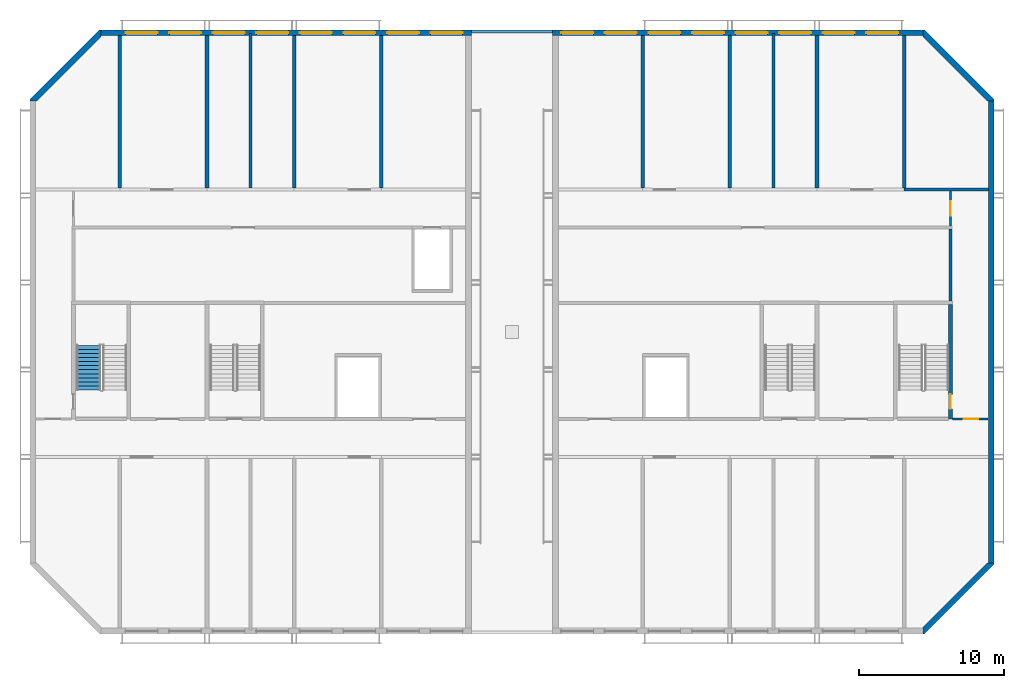
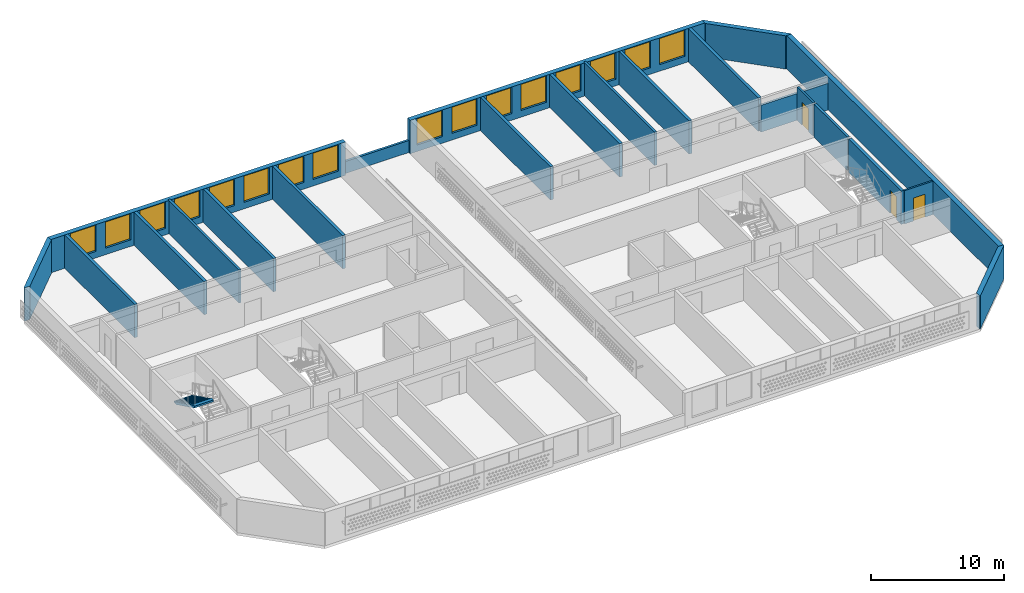
# One storey, part 4 of 18: 22 walls, 16 windows, 3 doors, 1 stair flight, 19 openings, 1 element without a shape of its own.
"""IFC4 building model written with IfcOpenShell, lengths in metres."""

from ifc_helpers import new_model, si_unit, direction, frame, frame_2d, origin, place, context, subcontext, project, spatial, polyline, rectangle, outline, extrude, material, layer, layer_set, type_object, element, fill, aggregate, save


model = new_model("IFC4")

# Units and contexts
model_context = context("Model", 3, precision=1e-05, world=origin(), true_north=direction((0.0, 1.0)))
body_context = subcontext(model_context, "Body", "Model", "MODEL_VIEW")
ifc_project = project(units=[si_unit("LENGTHUNIT", "METRE"), si_unit("AREAUNIT", "SQUARE_METRE"), si_unit("VOLUMEUNIT", "CUBIC_METRE"), si_unit("PLANEANGLEUNIT", "RADIAN"), si_unit("MASSUNIT", "GRAM", prefix="KILO")], contexts=[model_context])

# Site, building, storey
site_placement = place(None, origin())
site = spatial("IfcSite", under=ifc_project, at=site_placement, CompositionType="ELEMENT")
building_placement = place(site_placement, origin())
building = spatial("IfcBuilding", under=site, at=building_placement, Name="Poui Terraces", CompositionType="ELEMENT")
storey_placement = place(building_placement, frame((0.0, 0.0, 272.39990234375)))
storey = spatial("IfcBuildingStorey", under=building, at=storey_placement, Name="L75 CROWN", CompositionType="ELEMENT", Elevation=272.39990234375)

# Wall, opening, door
ifc_material_1 = material(Name="Fire-rated plasterboard wall")
ifc_layer_1 = layer(ifc_material_1, 0.14990234375)
ifc_layer_set_1 = layer_set([ifc_layer_1], Name="Fire-rated plasterboard wall")
wall_type_1 = type_object("IfcWallType", Name="CORRIDOR WALL 150", PredefinedType="PARTITIONING", material=ifc_layer_set_1)
wall_1_placement = place(storey_placement, frame((81.3349609375, 14.60009765625, 0.0), z_axis=(0.0, 0.0, 1.0), x_axis=(1.0, 0.0, 0.0)))
wall_1 = element("IfcWall", 1, at=wall_1_placement, inside=storey, type_object=wall_type_1, Name="CORRIDOR WALL 150", PredefinedType="PARTITIONING", context=body_context, shape_type="SweptSolid", body=[
    extrude(rectangle(XDim=2.455078125, YDim=0.14990234375, at=frame_2d((1.2275390625, 0.0))), origin(), (0.0, 0.0, 1.0), 3.050048828125),
])
opening_1_placement = place(wall_1_placement, frame((0.764892578125, 0.0, 0.0)))
opening_1 = element("IfcOpeningElement", 2, at=opening_1_placement, cuts=wall_1, Name="Opening FDL", PredefinedType="OPENING", context=body_context, shape_type="SweptSolid", body=[
    extrude(rectangle(XDim=1.0, YDim=2.10009765625, at=frame_2d((0.5, 1.050048828125))), frame((0.0, 0.0849609375, 0.0), z_axis=(0.0, -1.0, 0.0), x_axis=(1.0, 0.0, 0.0)), (0.0, 0.0, 1.0), 0.169921875),
])
ifc_material_2 = material(Name="Steel fire door", Category="steel")
door_type_1 = type_object("IfcDoorType", Name="LOBBY FIRE DOOR 1000 X 2100", OperationType="NOTDEFINED", PredefinedType="DOOR", material=ifc_material_2)
door_1_placement = place(opening_1_placement, origin())
door_1 = element("IfcDoor", 3, at=door_1_placement, inside=storey, type_object=door_type_1, Name="LOBBY FIRE DOOR 010", OperationType="SINGLE_SWING_LEFT", OverallHeight=2.10009765625, OverallWidth=1.0, PredefinedType="DOOR", context=body_context, shape_type="SweptSolid", body=[
    extrude(rectangle(XDim=1.0, YDim=2.10009765625, at=frame_2d((0.5, 1.050048828125))), frame((0.0, 0.02490234375, 0.0), z_axis=(0.0, -1.0, 0.0), x_axis=(1.0, 0.0, 0.0)), (0.0, 0.0, 1.0), 0.050048828125),
])
fill(opening_1, door_1)

wall_2_placement = place(storey_placement, frame((81.199951171875, 27.89990234375, 0.0), z_axis=(0.0, 0.0, 1.0), x_axis=(0.0, 1.0, 0.0)))
wall_2 = element("IfcWall", 4, at=wall_2_placement, inside=storey, type_object=wall_type_1, Name="CORRIDOR WALL 150", PredefinedType="PARTITIONING", context=body_context, shape_type="SweptSolid", body=[
    extrude(rectangle(XDim=2.39013671875, YDim=0.14990234375, at=frame_2d((1.195068359375, 0.0))), origin(), (0.0, 0.0, 1.0), 3.050048828125),
])
opening_2_placement = place(wall_2_placement, frame((0.699951171875, 0.0, 0.0)))
opening_2 = element("IfcOpeningElement", 5, at=opening_2_placement, cuts=wall_2, Name="Opening FDL", PredefinedType="OPENING", context=body_context, shape_type="SweptSolid", body=[
    extrude(rectangle(XDim=1.0, YDim=2.10009765625, at=frame_2d((0.5, 1.050048828125))), frame((0.0, 0.0849609375, 0.0), z_axis=(0.0, -1.0, 0.0), x_axis=(1.0, 0.0, 0.0)), (0.0, 0.0, 1.0), 0.169921875),
])
door_2_placement = place(opening_2_placement, frame((1.0, 0.0, 0.0), z_axis=(0.0, 0.0, 1.0), x_axis=(-1.0, 0.0, 0.0)))
door_2 = element("IfcDoor", 6, at=door_2_placement, inside=storey, type_object=door_type_1, Name="LOBBY FIRE DOOR 009", OperationType="SINGLE_SWING_RIGHT", OverallHeight=2.10009765625, OverallWidth=1.0, PredefinedType="DOOR", context=body_context, shape_type="SweptSolid", body=[
    extrude(rectangle(XDim=1.0, YDim=2.10009765625, at=frame_2d((0.5, 1.050048828125))), frame((0.0, 0.02490234375, 0.0), z_axis=(0.0, -1.0, 0.0), x_axis=(1.0, 0.0, 0.0)), (0.0, 0.0, 1.0), 0.050048828125),
])
fill(opening_2, door_2)

# Walls
ifc_material_3 = material(Name="Concrete 50 MPa", Category="concrete")
ifc_layer_2 = layer(ifc_material_3, 0.199951171875)
ifc_layer_set_2 = layer_set([ifc_layer_2], Name="Concrete 50 MPa")
wall_type_2 = type_object("IfcWallType", Name="CORRIDOR WALL 200 50MPa", PredefinedType="SHEAR", material=ifc_layer_set_2)
wall_3_placement = place(storey_placement, frame((78.0, 30.39990234375, 0.0), z_axis=(0.0, 0.0, 1.0), x_axis=(1.0, 0.0, 0.0)))
element("IfcWall", 7, at=wall_3_placement, inside=storey, type_object=wall_type_2, Name="CORRIDOR WALL LINE E BAY E5", PredefinedType="SHEAR", context=body_context, shape_type="SweptSolid", body=[
    extrude(rectangle(XDim=5.800048828125, YDim=0.199951171875, at=frame_2d((2.89990234375, 0.0))), origin(), (0.0, 0.0, 1.0), 2.4501953125),
])
ifc_layer_3 = layer(ifc_material_3, 0.25)
ifc_layer_set_3 = layer_set([ifc_layer_3], Name="Concrete 50 MPa")
wall_type_3 = type_object("IfcWallType", Name="CROSS WALL 250 50MPa", PredefinedType="SHEAR", material=ifc_layer_set_3)
for number, where, z_axis, x_axis, name in (
    (8, (24.0, 30.5, 0.0), (0.0, 0.0, 1.0), (0.0, 1.0, 0.0), "CROSS WALL LINE 5 NORTH"),
    (9, (30.0, 30.5, 0.0), (0.0, 0.0, 1.0), (0.0, 1.0, 0.0), "CROSS WALL LINE 6 NORTH"),
    (10, (36.0, 30.5, 0.0), (0.0, 0.0, 1.0), (0.0, 1.0, 0.0), "CROSS WALL LINE 7 NORTH"),
    (11, (42.0, 30.5, 0.0), (0.0, 0.0, 1.0), (0.0, 1.0, 0.0), "CROSS WALL LINE 8 NORTH"),
    (12, (60.0, 30.5, 0.0), (0.0, 0.0, 1.0), (0.0, 1.0, 0.0), "CROSS WALL LINE 11 NORTH"),
    (13, (66.0, 30.5, 0.0), (0.0, 0.0, 1.0), (0.0, 1.0, 0.0), "CROSS WALL LINE 12 NORTH"),
    (14, (72.0, 30.5, 0.0), (0.0, 0.0, 1.0), (0.0, 1.0, 0.0), "CROSS WALL LINE 13 NORTH"),
    (15, (78.0, 30.5, 0.0), (0.0, 0.0, 1.0), (0.0, 1.0, 0.0), "CROSS WALL LINE 14 NORTH"),
):
    element("IfcWall", number, at=place(storey_placement, frame(where, z_axis=z_axis, x_axis=x_axis)), inside=storey, type_object=wall_type_3, Name=name, PredefinedType="SHEAR", context=body_context, shape_type="SweptSolid", body=[
        extrude(rectangle(XDim=10.5, YDim=0.25, at=frame_2d((5.25, 0.0))), origin(), (0.0, 0.0, 1.0), 3.050048828125),
    ])
ifc_layer_4 = layer(ifc_material_3, 0.39990234375)
ifc_layer_set_4 = layer_set([ifc_layer_4], Name="Concrete 50 MPa")
wall_type_4 = type_object("IfcWallType", Name="END WALL 400 50MPa", PredefinedType="SHEAR", material=ifc_layer_set_4)
wall_4_placement = place(storey_placement, frame((84.0, 4.682861328125, 0.0), z_axis=(0.0, 0.0, 1.0), x_axis=(0.0, 1.0, 0.0)))
element("IfcWall", 16, at=wall_4_placement, inside=storey, type_object=wall_type_4, Name="END WALL LINE 15", PredefinedType="SHEAR", context=body_context, shape_type="SweptSolid", body=[
    extrude(rectangle(XDim=31.834228515625, YDim=0.39990234375, at=frame_2d((15.9169921875, 0.0))), origin(), (0.0, 0.0, 1.0), 3.050048828125),
])

# Wall, openings, windows
ifc_material_4 = material(Name="Precast concrete 40 MPa", Category="concrete")
ifc_layer_5 = layer(ifc_material_4, 0.39990234375)
ifc_layer_set_5 = layer_set([ifc_layer_5], Name="Precast concrete 40 MPa")
wall_type_5 = type_object("IfcWallType", Name="EXTERNAL WALL 400", PredefinedType="STANDARD", material=ifc_layer_set_5)
wall_5_placement = place(storey_placement, frame((48.199951171875, 41.199951171875, 0.0), z_axis=(0.0, 0.0, 1.0), x_axis=(-1.0, 0.0, 0.0)))
wall_5 = element("IfcWall", 17, at=wall_5_placement, inside=storey, type_object=wall_type_5, Name="EXTERNAL WALL N", PredefinedType="STANDARD", context=body_context, shape_type="SweptSolid", body=[
    extrude(rectangle(XDim=25.51708984375, YDim=0.39990234375, at=frame_2d((12.758544921875, 0.0))), origin(), (0.0, 0.0, 1.0), 3.050048828125),
])
opening_3_placement = place(wall_5_placement, frame((21.60009765625, 0.0, 0.60009765625)))
opening_3 = element("IfcOpeningElement", 18, at=opening_3_placement, cuts=wall_5, Name="Opening W5", PredefinedType="OPENING", context=body_context, shape_type="SweptSolid", body=[
    extrude(rectangle(XDim=2.199951171875, YDim=2.39990234375, at=frame_2d((1.10009765625, 1.199951171875))), frame((0.0, 0.2099609375, 0.0), z_axis=(0.0, -1.0, 0.0), x_axis=(1.0, 0.0, 0.0)), (0.0, 0.0, 1.0), 0.419921875),
])
opening_4_placement = place(wall_5_placement, frame((18.60009765625, 0.0, 0.60009765625)))
opening_4 = element("IfcOpeningElement", 19, at=opening_4_placement, cuts=wall_5, Name="Opening W5", PredefinedType="OPENING", context=body_context, shape_type="SweptSolid", body=[
    extrude(rectangle(XDim=2.199951171875, YDim=2.39990234375, at=frame_2d((1.10009765625, 1.199951171875))), frame((0.0, 0.2099609375, 0.0), z_axis=(0.0, -1.0, 0.0), x_axis=(1.0, 0.0, 0.0)), (0.0, 0.0, 1.0), 0.419921875),
])
opening_5_placement = place(wall_5_placement, frame((15.60009765625, 0.0, 0.60009765625)))
opening_5 = element("IfcOpeningElement", 20, at=opening_5_placement, cuts=wall_5, Name="Opening W5", PredefinedType="OPENING", context=body_context, shape_type="SweptSolid", body=[
    extrude(rectangle(XDim=2.199951171875, YDim=2.39990234375, at=frame_2d((1.10009765625, 1.199951171875))), frame((0.0, 0.2099609375, 0.0), z_axis=(0.0, -1.0, 0.0), x_axis=(1.0, 0.0, 0.0)), (0.0, 0.0, 1.0), 0.419921875),
])
opening_6_placement = place(wall_5_placement, frame((12.60009765625, 0.0, 0.60009765625)))
opening_6 = element("IfcOpeningElement", 21, at=opening_6_placement, cuts=wall_5, Name="Opening W5", PredefinedType="OPENING", context=body_context, shape_type="SweptSolid", body=[
    extrude(rectangle(XDim=2.199951171875, YDim=2.39990234375, at=frame_2d((1.10009765625, 1.199951171875))), frame((0.0, 0.2099609375, 0.0), z_axis=(0.0, -1.0, 0.0), x_axis=(1.0, 0.0, 0.0)), (0.0, 0.0, 1.0), 0.419921875),
])
opening_7_placement = place(wall_5_placement, frame((9.60009765625, 0.0, 0.60009765625)))
opening_7 = element("IfcOpeningElement", 22, at=opening_7_placement, cuts=wall_5, Name="Opening W5", PredefinedType="OPENING", context=body_context, shape_type="SweptSolid", body=[
    extrude(rectangle(XDim=2.199951171875, YDim=2.39990234375, at=frame_2d((1.10009765625, 1.199951171875))), frame((0.0, 0.2099609375, 0.0), z_axis=(0.0, -1.0, 0.0), x_axis=(1.0, 0.0, 0.0)), (0.0, 0.0, 1.0), 0.419921875),
])
opening_8_placement = place(wall_5_placement, frame((6.60009765625, 0.0, 0.60009765625)))
opening_8 = element("IfcOpeningElement", 23, at=opening_8_placement, cuts=wall_5, Name="Opening W5", PredefinedType="OPENING", context=body_context, shape_type="SweptSolid", body=[
    extrude(rectangle(XDim=2.199951171875, YDim=2.39990234375, at=frame_2d((1.10009765625, 1.199951171875))), frame((0.0, 0.2099609375, 0.0), z_axis=(0.0, -1.0, 0.0), x_axis=(1.0, 0.0, 0.0)), (0.0, 0.0, 1.0), 0.419921875),
])
opening_9_placement = place(wall_5_placement, frame((3.60009765625, 0.0, 0.60009765625)))
opening_9 = element("IfcOpeningElement", 24, at=opening_9_placement, cuts=wall_5, Name="Opening W5", PredefinedType="OPENING", context=body_context, shape_type="SweptSolid", body=[
    extrude(rectangle(XDim=2.199951171875, YDim=2.39990234375, at=frame_2d((1.10009765625, 1.199951171875))), frame((0.0, 0.2099609375, 0.0), z_axis=(0.0, -1.0, 0.0), x_axis=(1.0, 0.0, 0.0)), (0.0, 0.0, 1.0), 0.419921875),
])
opening_10_placement = place(wall_5_placement, frame((0.60009765625, 0.0, 0.60009765625)))
opening_10 = element("IfcOpeningElement", 25, at=opening_10_placement, cuts=wall_5, Name="Opening W5", PredefinedType="OPENING", context=body_context, shape_type="SweptSolid", body=[
    extrude(rectangle(XDim=2.199951171875, YDim=2.39990234375, at=frame_2d((1.10009765625, 1.199951171875))), frame((0.0, 0.2099609375, 0.0), z_axis=(0.0, -1.0, 0.0), x_axis=(1.0, 0.0, 0.0)), (0.0, 0.0, 1.0), 0.419921875),
])
ifc_material_5 = material(Name="Clear glass in aluminium frame", Category="aluminium")
window_type = type_object("IfcWindowType", Name="WINDOW 2200X2400", PartitioningType="TRIPLE_PANEL_HORIZONTAL", PredefinedType="WINDOW", material=ifc_material_5)
window_1_placement = place(opening_3_placement, origin())
window_1 = element("IfcWindow", 26, at=window_1_placement, inside=storey, type_object=window_type, Name="W5 WINDOW", OverallHeight=2.39990234375, OverallWidth=2.199951171875, PartitioningType="TRIPLE_PANEL_HORIZONTAL", PredefinedType="WINDOW", context=body_context, shape_type="SweptSolid", body=[
    extrude(rectangle(XDim=2.199951171875, YDim=2.39990234375, at=frame_2d((1.10009765625, 1.199951171875))), frame((0.0, 0.030029296875, 0.0), z_axis=(0.0, -1.0, 0.0), x_axis=(1.0, 0.0, 0.0)), (0.0, 0.0, 1.0), 0.06005859375),
])
fill(opening_3, window_1)
window_2_placement = place(opening_4_placement, origin())
window_2 = element("IfcWindow", 27, at=window_2_placement, inside=storey, type_object=window_type, Name="W5 WINDOW", OverallHeight=2.39990234375, OverallWidth=2.199951171875, PartitioningType="TRIPLE_PANEL_HORIZONTAL", PredefinedType="WINDOW", context=body_context, shape_type="SweptSolid", body=[
    extrude(rectangle(XDim=2.199951171875, YDim=2.39990234375, at=frame_2d((1.10009765625, 1.199951171875))), frame((0.0, 0.030029296875, 0.0), z_axis=(0.0, -1.0, 0.0), x_axis=(1.0, 0.0, 0.0)), (0.0, 0.0, 1.0), 0.06005859375),
])
fill(opening_4, window_2)
window_3_placement = place(opening_5_placement, origin())
window_3 = element("IfcWindow", 28, at=window_3_placement, inside=storey, type_object=window_type, Name="W5 WINDOW", OverallHeight=2.39990234375, OverallWidth=2.199951171875, PartitioningType="TRIPLE_PANEL_HORIZONTAL", PredefinedType="WINDOW", context=body_context, shape_type="SweptSolid", body=[
    extrude(rectangle(XDim=2.199951171875, YDim=2.39990234375, at=frame_2d((1.10009765625, 1.199951171875))), frame((0.0, 0.030029296875, 0.0), z_axis=(0.0, -1.0, 0.0), x_axis=(1.0, 0.0, 0.0)), (0.0, 0.0, 1.0), 0.06005859375),
])
fill(opening_5, window_3)
window_4_placement = place(opening_6_placement, origin())
window_4 = element("IfcWindow", 29, at=window_4_placement, inside=storey, type_object=window_type, Name="W5 WINDOW", OverallHeight=2.39990234375, OverallWidth=2.199951171875, PartitioningType="TRIPLE_PANEL_HORIZONTAL", PredefinedType="WINDOW", context=body_context, shape_type="SweptSolid", body=[
    extrude(rectangle(XDim=2.199951171875, YDim=2.39990234375, at=frame_2d((1.10009765625, 1.199951171875))), frame((0.0, 0.030029296875, 0.0), z_axis=(0.0, -1.0, 0.0), x_axis=(1.0, 0.0, 0.0)), (0.0, 0.0, 1.0), 0.06005859375),
])
fill(opening_6, window_4)
window_5_placement = place(opening_7_placement, origin())
window_5 = element("IfcWindow", 30, at=window_5_placement, inside=storey, type_object=window_type, Name="W5 WINDOW", OverallHeight=2.39990234375, OverallWidth=2.199951171875, PartitioningType="TRIPLE_PANEL_HORIZONTAL", PredefinedType="WINDOW", context=body_context, shape_type="SweptSolid", body=[
    extrude(rectangle(XDim=2.199951171875, YDim=2.39990234375, at=frame_2d((1.10009765625, 1.199951171875))), frame((0.0, 0.030029296875, 0.0), z_axis=(0.0, -1.0, 0.0), x_axis=(1.0, 0.0, 0.0)), (0.0, 0.0, 1.0), 0.06005859375),
])
fill(opening_7, window_5)
window_6_placement = place(opening_8_placement, origin())
window_6 = element("IfcWindow", 31, at=window_6_placement, inside=storey, type_object=window_type, Name="W5 WINDOW", OverallHeight=2.39990234375, OverallWidth=2.199951171875, PartitioningType="TRIPLE_PANEL_HORIZONTAL", PredefinedType="WINDOW", context=body_context, shape_type="SweptSolid", body=[
    extrude(rectangle(XDim=2.199951171875, YDim=2.39990234375, at=frame_2d((1.10009765625, 1.199951171875))), frame((0.0, 0.030029296875, 0.0), z_axis=(0.0, -1.0, 0.0), x_axis=(1.0, 0.0, 0.0)), (0.0, 0.0, 1.0), 0.06005859375),
])
fill(opening_8, window_6)
window_7_placement = place(opening_9_placement, origin())
window_7 = element("IfcWindow", 32, at=window_7_placement, inside=storey, type_object=window_type, Name="W5 WINDOW", OverallHeight=2.39990234375, OverallWidth=2.199951171875, PartitioningType="TRIPLE_PANEL_HORIZONTAL", PredefinedType="WINDOW", context=body_context, shape_type="SweptSolid", body=[
    extrude(rectangle(XDim=2.199951171875, YDim=2.39990234375, at=frame_2d((1.10009765625, 1.199951171875))), frame((0.0, 0.030029296875, 0.0), z_axis=(0.0, -1.0, 0.0), x_axis=(1.0, 0.0, 0.0)), (0.0, 0.0, 1.0), 0.06005859375),
])
fill(opening_9, window_7)
window_8_placement = place(opening_10_placement, origin())
window_8 = element("IfcWindow", 33, at=window_8_placement, inside=storey, type_object=window_type, Name="W5 WINDOW", OverallHeight=2.39990234375, OverallWidth=2.199951171875, PartitioningType="TRIPLE_PANEL_HORIZONTAL", PredefinedType="WINDOW", context=body_context, shape_type="SweptSolid", body=[
    extrude(rectangle(XDim=2.199951171875, YDim=2.39990234375, at=frame_2d((1.10009765625, 1.199951171875))), frame((0.0, 0.030029296875, 0.0), z_axis=(0.0, -1.0, 0.0), x_axis=(1.0, 0.0, 0.0)), (0.0, 0.0, 1.0), 0.06005859375),
])
fill(opening_10, window_8)

wall_6_placement = place(storey_placement, frame((79.317138671875, 41.199951171875, 0.0), z_axis=(0.0, 0.0, 1.0), x_axis=(-1.0, 0.0, 0.0)))
wall_6 = element("IfcWall", 34, at=wall_6_placement, inside=storey, type_object=wall_type_5, Name="EXTERNAL WALL N", PredefinedType="STANDARD", context=body_context, shape_type="SweptSolid", body=[
    extrude(rectangle(XDim=25.51708984375, YDim=0.39990234375, at=frame_2d((12.758544921875, 0.0))), origin(), (0.0, 0.0, 1.0), 3.050048828125),
])
opening_11_placement = place(wall_6_placement, frame((22.71728515625, 0.0, 0.60009765625)))
opening_11 = element("IfcOpeningElement", 35, at=opening_11_placement, cuts=wall_6, Name="Opening W5", PredefinedType="OPENING", context=body_context, shape_type="SweptSolid", body=[
    extrude(rectangle(XDim=2.199951171875, YDim=2.39990234375, at=frame_2d((1.10009765625, 1.199951171875))), frame((0.0, 0.2099609375, 0.0), z_axis=(0.0, -1.0, 0.0), x_axis=(1.0, 0.0, 0.0)), (0.0, 0.0, 1.0), 0.419921875),
])
opening_12_placement = place(wall_6_placement, frame((19.71728515625, 0.0, 0.60009765625)))
opening_12 = element("IfcOpeningElement", 36, at=opening_12_placement, cuts=wall_6, Name="Opening W5", PredefinedType="OPENING", context=body_context, shape_type="SweptSolid", body=[
    extrude(rectangle(XDim=2.199951171875, YDim=2.39990234375, at=frame_2d((1.10009765625, 1.199951171875))), frame((0.0, 0.2099609375, 0.0), z_axis=(0.0, -1.0, 0.0), x_axis=(1.0, 0.0, 0.0)), (0.0, 0.0, 1.0), 0.419921875),
])
opening_13_placement = place(wall_6_placement, frame((16.71728515625, 0.0, 0.60009765625)))
opening_13 = element("IfcOpeningElement", 37, at=opening_13_placement, cuts=wall_6, Name="Opening W5", PredefinedType="OPENING", context=body_context, shape_type="SweptSolid", body=[
    extrude(rectangle(XDim=2.199951171875, YDim=2.39990234375, at=frame_2d((1.10009765625, 1.199951171875))), frame((0.0, 0.2099609375, 0.0), z_axis=(0.0, -1.0, 0.0), x_axis=(1.0, 0.0, 0.0)), (0.0, 0.0, 1.0), 0.419921875),
])
opening_14_placement = place(wall_6_placement, frame((13.71728515625, 0.0, 0.60009765625)))
opening_14 = element("IfcOpeningElement", 38, at=opening_14_placement, cuts=wall_6, Name="Opening W5", PredefinedType="OPENING", context=body_context, shape_type="SweptSolid", body=[
    extrude(rectangle(XDim=2.199951171875, YDim=2.39990234375, at=frame_2d((1.10009765625, 1.199951171875))), frame((0.0, 0.2099609375, 0.0), z_axis=(0.0, -1.0, 0.0), x_axis=(1.0, 0.0, 0.0)), (0.0, 0.0, 1.0), 0.419921875),
])
opening_15_placement = place(wall_6_placement, frame((10.71728515625, 0.0, 0.60009765625)))
opening_15 = element("IfcOpeningElement", 39, at=opening_15_placement, cuts=wall_6, Name="Opening W5", PredefinedType="OPENING", context=body_context, shape_type="SweptSolid", body=[
    extrude(rectangle(XDim=2.199951171875, YDim=2.39990234375, at=frame_2d((1.10009765625, 1.199951171875))), frame((0.0, 0.2099609375, 0.0), z_axis=(0.0, -1.0, 0.0), x_axis=(1.0, 0.0, 0.0)), (0.0, 0.0, 1.0), 0.419921875),
])
opening_16_placement = place(wall_6_placement, frame((7.71728515625, 0.0, 0.60009765625)))
opening_16 = element("IfcOpeningElement", 40, at=opening_16_placement, cuts=wall_6, Name="Opening W5", PredefinedType="OPENING", context=body_context, shape_type="SweptSolid", body=[
    extrude(rectangle(XDim=2.199951171875, YDim=2.39990234375, at=frame_2d((1.10009765625, 1.199951171875))), frame((0.0, 0.2099609375, 0.0), z_axis=(0.0, -1.0, 0.0), x_axis=(1.0, 0.0, 0.0)), (0.0, 0.0, 1.0), 0.419921875),
])
opening_17_placement = place(wall_6_placement, frame((4.71728515625, 0.0, 0.60009765625)))
opening_17 = element("IfcOpeningElement", 41, at=opening_17_placement, cuts=wall_6, Name="Opening W5", PredefinedType="OPENING", context=body_context, shape_type="SweptSolid", body=[
    extrude(rectangle(XDim=2.199951171875, YDim=2.39990234375, at=frame_2d((1.10009765625, 1.199951171875))), frame((0.0, 0.2099609375, 0.0), z_axis=(0.0, -1.0, 0.0), x_axis=(1.0, 0.0, 0.0)), (0.0, 0.0, 1.0), 0.419921875),
])
opening_18_placement = place(wall_6_placement, frame((1.71728515625, 0.0, 0.60009765625)))
opening_18 = element("IfcOpeningElement", 42, at=opening_18_placement, cuts=wall_6, Name="Opening W5", PredefinedType="OPENING", context=body_context, shape_type="SweptSolid", body=[
    extrude(rectangle(XDim=2.199951171875, YDim=2.39990234375, at=frame_2d((1.10009765625, 1.199951171875))), frame((0.0, 0.2099609375, 0.0), z_axis=(0.0, -1.0, 0.0), x_axis=(1.0, 0.0, 0.0)), (0.0, 0.0, 1.0), 0.419921875),
])
window_9_placement = place(opening_11_placement, origin())
window_9 = element("IfcWindow", 43, at=window_9_placement, inside=storey, type_object=window_type, Name="W5 WINDOW", OverallHeight=2.39990234375, OverallWidth=2.199951171875, PartitioningType="TRIPLE_PANEL_HORIZONTAL", PredefinedType="WINDOW", context=body_context, shape_type="SweptSolid", body=[
    extrude(rectangle(XDim=2.199951171875, YDim=2.39990234375, at=frame_2d((1.10009765625, 1.199951171875))), frame((0.0, 0.030029296875, 0.0), z_axis=(0.0, -1.0, 0.0), x_axis=(1.0, 0.0, 0.0)), (0.0, 0.0, 1.0), 0.06005859375),
])
fill(opening_11, window_9)
window_10_placement = place(opening_12_placement, origin())
window_10 = element("IfcWindow", 44, at=window_10_placement, inside=storey, type_object=window_type, Name="W5 WINDOW", OverallHeight=2.39990234375, OverallWidth=2.199951171875, PartitioningType="TRIPLE_PANEL_HORIZONTAL", PredefinedType="WINDOW", context=body_context, shape_type="SweptSolid", body=[
    extrude(rectangle(XDim=2.199951171875, YDim=2.39990234375, at=frame_2d((1.10009765625, 1.199951171875))), frame((0.0, 0.030029296875, 0.0), z_axis=(0.0, -1.0, 0.0), x_axis=(1.0, 0.0, 0.0)), (0.0, 0.0, 1.0), 0.06005859375),
])
fill(opening_12, window_10)
window_11_placement = place(opening_13_placement, origin())
window_11 = element("IfcWindow", 45, at=window_11_placement, inside=storey, type_object=window_type, Name="W5 WINDOW", OverallHeight=2.39990234375, OverallWidth=2.199951171875, PartitioningType="TRIPLE_PANEL_HORIZONTAL", PredefinedType="WINDOW", context=body_context, shape_type="SweptSolid", body=[
    extrude(rectangle(XDim=2.199951171875, YDim=2.39990234375, at=frame_2d((1.10009765625, 1.199951171875))), frame((0.0, 0.030029296875, 0.0), z_axis=(0.0, -1.0, 0.0), x_axis=(1.0, 0.0, 0.0)), (0.0, 0.0, 1.0), 0.06005859375),
])
fill(opening_13, window_11)
window_12_placement = place(opening_14_placement, origin())
window_12 = element("IfcWindow", 46, at=window_12_placement, inside=storey, type_object=window_type, Name="W5 WINDOW", OverallHeight=2.39990234375, OverallWidth=2.199951171875, PartitioningType="TRIPLE_PANEL_HORIZONTAL", PredefinedType="WINDOW", context=body_context, shape_type="SweptSolid", body=[
    extrude(rectangle(XDim=2.199951171875, YDim=2.39990234375, at=frame_2d((1.10009765625, 1.199951171875))), frame((0.0, 0.030029296875, 0.0), z_axis=(0.0, -1.0, 0.0), x_axis=(1.0, 0.0, 0.0)), (0.0, 0.0, 1.0), 0.06005859375),
])
fill(opening_14, window_12)
window_13_placement = place(opening_15_placement, origin())
window_13 = element("IfcWindow", 47, at=window_13_placement, inside=storey, type_object=window_type, Name="W5 WINDOW", OverallHeight=2.39990234375, OverallWidth=2.199951171875, PartitioningType="TRIPLE_PANEL_HORIZONTAL", PredefinedType="WINDOW", context=body_context, shape_type="SweptSolid", body=[
    extrude(rectangle(XDim=2.199951171875, YDim=2.39990234375, at=frame_2d((1.10009765625, 1.199951171875))), frame((0.0, 0.030029296875, 0.0), z_axis=(0.0, -1.0, 0.0), x_axis=(1.0, 0.0, 0.0)), (0.0, 0.0, 1.0), 0.06005859375),
])
fill(opening_15, window_13)
window_14_placement = place(opening_16_placement, origin())
window_14 = element("IfcWindow", 48, at=window_14_placement, inside=storey, type_object=window_type, Name="W5 WINDOW", OverallHeight=2.39990234375, OverallWidth=2.199951171875, PartitioningType="TRIPLE_PANEL_HORIZONTAL", PredefinedType="WINDOW", context=body_context, shape_type="SweptSolid", body=[
    extrude(rectangle(XDim=2.199951171875, YDim=2.39990234375, at=frame_2d((1.10009765625, 1.199951171875))), frame((0.0, 0.030029296875, 0.0), z_axis=(0.0, -1.0, 0.0), x_axis=(1.0, 0.0, 0.0)), (0.0, 0.0, 1.0), 0.06005859375),
])
fill(opening_16, window_14)
window_15_placement = place(opening_17_placement, origin())
window_15 = element("IfcWindow", 49, at=window_15_placement, inside=storey, type_object=window_type, Name="W5 WINDOW", OverallHeight=2.39990234375, OverallWidth=2.199951171875, PartitioningType="TRIPLE_PANEL_HORIZONTAL", PredefinedType="WINDOW", context=body_context, shape_type="SweptSolid", body=[
    extrude(rectangle(XDim=2.199951171875, YDim=2.39990234375, at=frame_2d((1.10009765625, 1.199951171875))), frame((0.0, 0.030029296875, 0.0), z_axis=(0.0, -1.0, 0.0), x_axis=(1.0, 0.0, 0.0)), (0.0, 0.0, 1.0), 0.06005859375),
])
fill(opening_17, window_15)
window_16_placement = place(opening_18_placement, origin())
window_16 = element("IfcWindow", 50, at=window_16_placement, inside=storey, type_object=window_type, Name="W5 WINDOW", OverallHeight=2.39990234375, OverallWidth=2.199951171875, PartitioningType="TRIPLE_PANEL_HORIZONTAL", PredefinedType="WINDOW", context=body_context, shape_type="SweptSolid", body=[
    extrude(rectangle(XDim=2.199951171875, YDim=2.39990234375, at=frame_2d((1.10009765625, 1.199951171875))), frame((0.0, 0.030029296875, 0.0), z_axis=(0.0, -1.0, 0.0), x_axis=(1.0, 0.0, 0.0)), (0.0, 0.0, 1.0), 0.06005859375),
])
fill(opening_18, window_16)

# Walls
ifc_material_6 = material(Name="Fire-rated masonry wall", Category="masonry")
ifc_layer_6 = layer(ifc_material_6, 0.199951171875)
ifc_layer_set_6 = layer_set([ifc_layer_6], Name="Fire-rated masonry wall")
wall_type_6 = type_object("IfcWallType", Name="PLANT ROOM WALL 200", PredefinedType="PARTITIONING", material=ifc_layer_set_6)
for number, where, z_axis, x_axis, name in (
    (51, (33.0, 30.510009765625, 0.0), (0.0, 0.0, 1.0), (0.0, 1.0, 0.0), "PLANT ROOM WALL 200"),
    (52, (69.0, 30.510009765625, 0.0), (0.0, 0.0, 1.0), (0.0, 1.0, 0.0), "PLANT ROOM WALL 200"),
):
    element("IfcWall", number, at=place(storey_placement, frame(where, z_axis=z_axis, x_axis=x_axis)), inside=storey, type_object=wall_type_6, Name=name, PredefinedType="PARTITIONING", context=body_context, shape_type="SweptSolid", body=[
        extrude(rectangle(XDim=10.6298828125, YDim=0.199951171875, at=frame_2d((5.31494140625, 0.0))), origin(), (0.0, 0.0, 1.0), 3.050048828125),
    ])
wall_7_placement = place(storey_placement, frame((81.199951171875, 22.735107421875, 0.0), z_axis=(0.0, 0.0, 1.0), x_axis=(0.0, 1.0, 0.0)))
element("IfcWall", 53, at=wall_7_placement, inside=storey, type_object=wall_type_6, Name="PLANT ROOM WALL 200", PredefinedType="PARTITIONING", context=body_context, shape_type="SweptSolid", body=[
    extrude(rectangle(XDim=4.96484375, YDim=0.199951171875, at=frame_2d((2.482421875, 0.0))), origin(), (0.0, 0.0, 1.0), 3.050048828125),
])
ifc_layer_7 = layer(ifc_material_4, 0.199951171875)
ifc_layer_set_7 = layer_set([ifc_layer_7], Name="Precast concrete 40 MPa")
wall_type_7 = type_object("IfcWallType", Name="ROOF PARAPET 200", PredefinedType="PARAPET", material=ifc_layer_set_7)
wall_8_placement = place(storey_placement, origin())
element("IfcWall", 54, at=wall_8_placement, inside=storey, type_object=wall_type_7, Name="SLOT ROOF PARAPET", PredefinedType="PARAPET", context=body_context, shape_type="SweptSolid", body=[
    extrude(outline(polyline([(48.199951171875, 41.39990234375), (48.199951171875, 41.199951171875), (53.800048828125, 41.199951171875), (53.800048828125, 41.39990234375), (48.199951171875, 41.39990234375)])), origin(), (0.0, 0.0, 1.0), 1.10009765625),
])

# Wall, opening, door
ifc_layer_8 = layer(ifc_material_3, 0.25)
ifc_layer_set_8 = layer_set([ifc_layer_8], Name="Concrete 50 MPa")
wall_type_8 = type_object("IfcWallType", Name="STAIR CORE WALL 250 50 MPA", PredefinedType="SOLIDWALL", material=ifc_layer_set_8)
wall_9_placement = place(storey_placement, frame((81.199951171875, 14.60009765625, 0.0), z_axis=(0.0, 0.0, 1.0), x_axis=(0.0, 1.0, 0.0)))
wall_9 = element("IfcWall", 55, at=wall_9_placement, inside=storey, type_object=wall_type_8, Name="STAIR CORE WALL", PredefinedType="SOLIDWALL", context=body_context, shape_type="SweptSolid", body=[
    extrude(rectangle(XDim=7.875, YDim=0.25, at=frame_2d((3.9375, 0.0))), origin(), (0.0, 0.0, 1.0), 3.050048828125),
])
opening_19_placement = place(wall_9_placement, frame((0.699951171875, 0.0, 0.0)))
opening_19 = element("IfcOpeningElement", 56, at=opening_19_placement, cuts=wall_9, Name="Opening FD60S", PredefinedType="OPENING", context=body_context, shape_type="SweptSolid", body=[
    extrude(rectangle(XDim=1.0, YDim=2.10009765625, at=frame_2d((0.5, 1.050048828125))), frame((0.0, 0.135009765625, 0.0), z_axis=(0.0, -1.0, 0.0), x_axis=(1.0, 0.0, 0.0)), (0.0, 0.0, 1.0), 0.27001953125),
])
door_type_2 = type_object("IfcDoorType", Name="STAIR DOOR 1000 X 2100", OperationType="NOTDEFINED", PredefinedType="DOOR", material=ifc_material_2)
door_3_placement = place(opening_19_placement, origin())
door_3 = element("IfcDoor", 57, at=door_3_placement, inside=storey, type_object=door_type_2, Name="STAIR DOOR 008", OperationType="SINGLE_SWING_LEFT", OverallHeight=2.10009765625, OverallWidth=1.0, PredefinedType="DOOR", context=body_context, shape_type="SweptSolid", body=[
    extrude(rectangle(XDim=1.0, YDim=2.10009765625, at=frame_2d((0.5, 1.050048828125))), frame((0.0, 0.02490234375, 0.0), z_axis=(0.0, -1.0, 0.0), x_axis=(1.0, 0.0, 0.0)), (0.0, 0.0, 1.0), 0.050048828125),
])
fill(opening_19, door_3)

# Walls
ifc_layer_9 = layer(ifc_material_4, 0.39990234375)
ifc_layer_set_9 = layer_set([ifc_layer_9], Name="Precast concrete 40 MPa")
wall_type_9 = type_object("IfcWallType", Name="TERRACOTTA CLAD CHAMFER WALL 400", PredefinedType="STANDARD", material=ifc_layer_set_9)
wall_10_placement = place(storey_placement, origin())
element("IfcWall", 58, at=wall_10_placement, inside=storey, type_object=wall_type_9, Name="CHAMFER WALL CH03", PredefinedType="STANDARD", context=body_context, shape_type="SweptSolid", body=[
    extrude(outline(polyline([(22.682861328125, 41.39990234375), (22.60009765625, 41.39990234375), (17.800048828125, 36.60009765625), (17.800048828125, 36.51708984375), (18.28271484375, 36.51708984375), (22.682861328125, 40.917236328125), (22.682861328125, 41.39990234375)])), origin(), (0.0, 0.0, 1.0), 3.050048828125),
])
wall_11_placement = place(storey_placement, origin())
element("IfcWall", 59, at=wall_11_placement, inside=storey, type_object=wall_type_9, Name="CHAMFER WALL CH11", PredefinedType="STANDARD", context=body_context, shape_type="SweptSolid", body=[
    extrude(outline(polyline([(79.317138671875, -0.199951171875), (79.39990234375, -0.199951171875), (84.199951171875, 4.60009765625), (84.199951171875, 4.682861328125), (83.71728515625, 4.682861328125), (79.317138671875, 0.28271484375), (79.317138671875, -0.199951171875)])), origin(), (0.0, 0.0, 1.0), 3.050048828125),
])
wall_12_placement = place(storey_placement, origin())
element("IfcWall", 60, at=wall_12_placement, inside=storey, type_object=wall_type_9, Name="CHAMFER WALL CH13", PredefinedType="STANDARD", context=body_context, shape_type="SweptSolid", body=[
    extrude(outline(polyline([(84.199951171875, 36.51708984375), (84.199951171875, 36.60009765625), (79.39990234375, 41.39990234375), (79.317138671875, 41.39990234375), (79.317138671875, 40.917236328125), (83.71728515625, 36.51708984375), (84.199951171875, 36.51708984375)])), origin(), (0.0, 0.0, 1.0), 3.050048828125),
])

# Stair, stair flight
stair_type = type_object("IfcStairType", Name="EXIT STAIR 1650 50 MPA", PredefinedType="HALF_TURN_STAIR", material=ifc_material_3)
stair_placement = place(storey_placement, origin())
stair = element("IfcStair", 61, at=stair_placement, inside=storey, type_object=stair_type, Name="L75 CROWN TIP STAIR WEST", PredefinedType="HALF_TURN_STAIR")
ifc_layer_10 = layer(ifc_material_3, 0.14990234375)
ifc_layer_set_10 = layer_set([ifc_layer_10], Name="Concrete 50 MPa")
stair_flight_type = type_object("IfcStairFlightType", Name="STAIR FLIGHT 12 RISERS 138 RISE 50 MPA", PredefinedType="STRAIGHT", material=ifc_layer_set_10)
stair_flight_placement = place(storey_placement, frame((21.85009765625, 19.679931640625, 1.650146484375), z_axis=(0.0, 0.0, 1.0), x_axis=(0.0, -1.0, 0.0)))
stair_flight = element("IfcStairFlight", 62, at=stair_flight_placement, type_object=stair_flight_type, Name="ST-W flight 2", NumberOfRisers=12, NumberOfTreads=11, PredefinedType="STRAIGHT", RiserHeight=0.1375, TreadLength=0.28, context=body_context, shape_type="SweptSolid", body=[
    extrude(outline(polyline([(0.0, 0.0), (0.0, 0.137451171875), (0.280029296875, 0.137451171875), (0.280029296875, 0.27490234375), (0.56005859375, 0.27490234375), (0.56005859375, 0.41259765625), (0.840087890625, 0.41259765625), (0.840087890625, 0.550048828125), (1.1201171875, 0.550048828125), (1.1201171875, 0.6875), (1.39990234375, 0.6875), (1.39990234375, 0.824951171875), (1.679931640625, 0.824951171875), (1.679931640625, 0.96240234375), (1.9599609375, 0.96240234375), (1.9599609375, 1.10009765625), (2.239990234375, 1.10009765625), (2.239990234375, 1.237548828125), (2.52001953125, 1.237548828125), (2.52001953125, 1.375), (2.800048828125, 1.375), (2.800048828125, 1.512451171875), (3.080078125, 1.512451171875), (3.080078125, 1.64990234375), (3.080078125, 1.345458984375), (0.340087890625, 0.0), (0.0, 0.0)])), frame((0.0, 0.824951171875, 0.0), z_axis=(0.0, -1.0, 0.0), x_axis=(1.0, 0.0, 0.0)), (0.0, 0.0, 1.0), 1.64990234375),
])
aggregate(stair, [stair_flight])

save(model, "model.ifc")
